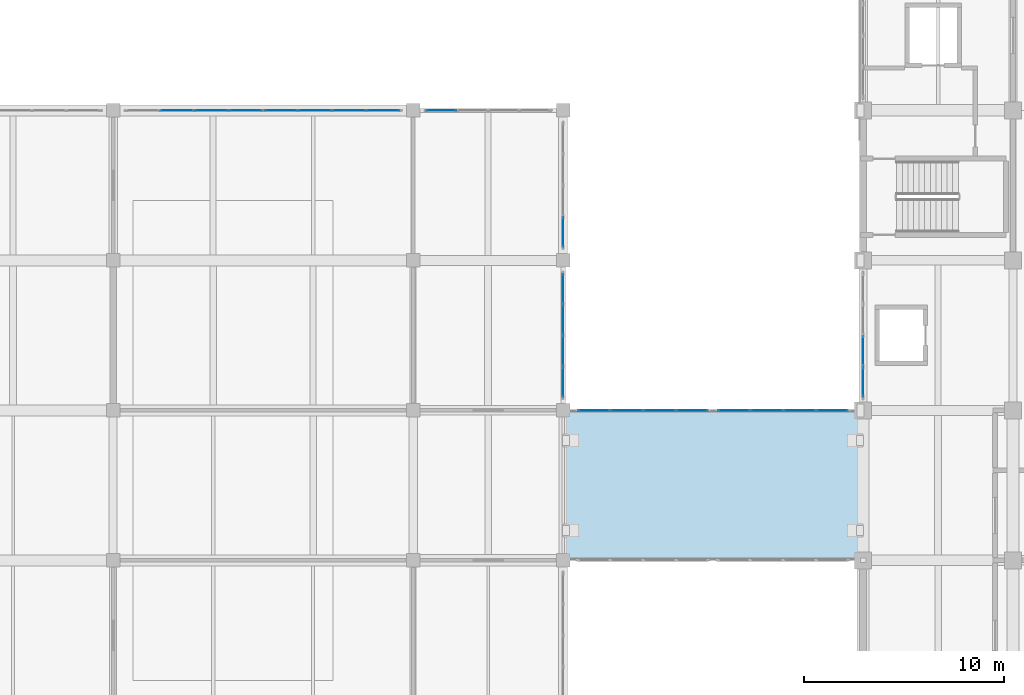
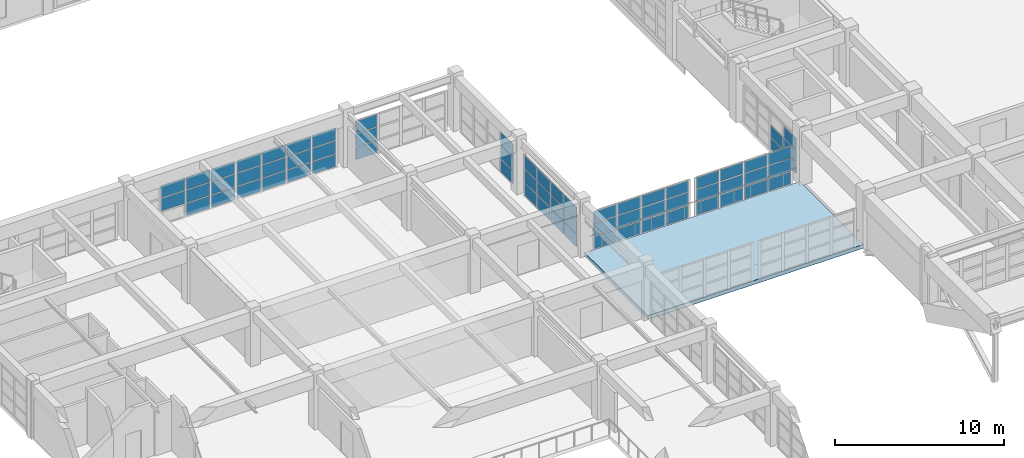
# One storey, part 84 of 132: 67 plates, 1 slab, 8 elements without a shape of their own.
"""IFC4 building model written with IfcOpenShell, lengths in metres."""

from ifc_helpers import new_model, si_unit, direction, frame, origin, origin_2d, place, context, subcontext, project, spatial, polyline, rectangle, outline, extrude, material, layer, layer_set, type_object, element, aggregate, save


model = new_model("IFC4")

# Units and contexts
model_context = context("Model", 3, precision=1e-05, world=origin(), true_north=direction((0.0, 1.0)))
body_context = subcontext(model_context, "Body", "Model", "MODEL_VIEW")
ifc_project = project(units=[si_unit("LENGTHUNIT", "METRE"), si_unit("AREAUNIT", "SQUARE_METRE"), si_unit("VOLUMEUNIT", "CUBIC_METRE"), si_unit("PLANEANGLEUNIT", "RADIAN"), si_unit("MASSUNIT", "GRAM", prefix="KILO")], contexts=[model_context])

# Site, building, storey
site_placement = place(None, origin())
site = spatial("IfcSite", under=ifc_project, at=site_placement, CompositionType="ELEMENT")
building_placement = place(site_placement, origin())
building = spatial("IfcBuilding", under=site, at=building_placement, Name="Qasida Concert Hall", CompositionType="ELEMENT")
storey_placement = place(building_placement, frame((0.0, 0.0, 4.800048828125)))
storey = spatial("IfcBuildingStorey", under=building, at=storey_placement, Name="L01", CompositionType="ELEMENT", Elevation=4.800048828125)

# Curtain wall, plates
ifc_material_1 = material(Name="Architectural bronze-anodized aluminium and low-E glass", Category="aluminium")
curtain_wall_type_1 = type_object("IfcCurtainWallType", Name="CW-02", PredefinedType="NOTDEFINED", material=ifc_material_1)
curtain_wall_1_placement = place(storey_placement, origin())
curtain_wall_1 = element("IfcCurtainWall", 1, at=curtain_wall_1_placement, inside=storey, type_object=curtain_wall_type_1, Name="L01 curtain wall CW-02 0042", PredefinedType="NOTDEFINED")
ifc_material_2 = material(Name="Solar-control low-E double glazing", Category="glass")
ifc_layer_1 = layer(ifc_material_2, 0.035888671875, Name="Solar-control low-E double glazing")
ifc_layer_set_1 = layer_set([ifc_layer_1], Name="Solar-control low-E double glazing")
plate_type_1 = type_object("IfcPlateType", Name="PLT-CWP-1", PredefinedType="CURTAIN_PANEL", material=ifc_layer_set_1)
plate_1_placement = place(storey_placement, frame((52.5, 38.919921875, 0.06494140625), z_axis=(0.0, 0.0, 1.0), x_axis=(0.0, 1.0, 0.0)))
plate_1 = element("IfcPlate", 2, at=plate_1_placement, type_object=plate_type_1, Name="CW-02 panel 1.1", PredefinedType="CURTAIN_PANEL", context=body_context, shape_type="SweptSolid", body=[
    extrude(rectangle(XDim=1.4599609375, YDim=0.035888671875, at=origin_2d()), origin(), (0.0, 0.0, 1.0), 0.79931640625),
])
plate_2_placement = place(storey_placement, frame((52.5, 38.919921875, 0.92919921875), z_axis=(0.0, 0.0, 1.0), x_axis=(0.0, 1.0, 0.0)))
plate_2 = element("IfcPlate", 3, at=plate_2_placement, type_object=plate_type_1, Name="CW-02 panel 1.2", PredefinedType="CURTAIN_PANEL", context=body_context, shape_type="SweptSolid", body=[
    extrude(rectangle(XDim=1.4599609375, YDim=0.035888671875, at=origin_2d()), origin(), (0.0, 0.0, 1.0), 0.83154296875),
])
plate_3_placement = place(storey_placement, frame((52.5, 38.919921875, 1.82568359375), z_axis=(0.0, 0.0, 1.0), x_axis=(0.0, 1.0, 0.0)))
plate_3 = element("IfcPlate", 4, at=plate_3_placement, type_object=plate_type_1, Name="CW-02 panel 1.3", PredefinedType="CURTAIN_PANEL", context=body_context, shape_type="SweptSolid", body=[
    extrude(rectangle(XDim=1.4599609375, YDim=0.035888671875, at=origin_2d()), origin(), (0.0, 0.0, 1.0), 0.79931640625),
])
plate_4_placement = place(storey_placement, frame((52.5, 40.467529296875, 0.06494140625), z_axis=(0.0, 0.0, 1.0), x_axis=(0.0, 1.0, 0.0)))
plate_4 = element("IfcPlate", 5, at=plate_4_placement, type_object=plate_type_1, Name="CW-02 panel 2.1", PredefinedType="CURTAIN_PANEL", context=body_context, shape_type="SweptSolid", body=[
    extrude(rectangle(XDim=1.4951171875, YDim=0.035888671875, at=origin_2d()), origin(), (0.0, 0.0, 1.0), 0.79931640625),
])
plate_5_placement = place(storey_placement, frame((52.5, 40.467529296875, 0.92919921875), z_axis=(0.0, 0.0, 1.0), x_axis=(0.0, 1.0, 0.0)))
plate_5 = element("IfcPlate", 6, at=plate_5_placement, type_object=plate_type_1, Name="CW-02 panel 2.2", PredefinedType="CURTAIN_PANEL", context=body_context, shape_type="SweptSolid", body=[
    extrude(rectangle(XDim=1.4951171875, YDim=0.035888671875, at=origin_2d()), origin(), (0.0, 0.0, 1.0), 0.83154296875),
])
aggregate(curtain_wall_1, [plate_1, plate_2, plate_3, plate_4, plate_5])

curtain_wall_type_2 = type_object("IfcCurtainWallType", Name="CW-07", PredefinedType="NOTDEFINED", material=ifc_material_1)
curtain_wall_2_placement = place(storey_placement, origin())
curtain_wall_2 = element("IfcCurtainWall", 7, at=curtain_wall_2_placement, inside=storey, type_object=curtain_wall_type_2, Name="L01 curtain wall CW-07 0086", PredefinedType="NOTDEFINED")
ifc_layer_2 = layer(ifc_material_2, 0.031982421875, Name="Solar-control low-E double glazing")
ifc_layer_set_2 = layer_set([ifc_layer_2], Name="Solar-control low-E double glazing")
plate_type_2 = type_object("IfcPlateType", Name="PLT-CWP-2", PredefinedType="CURTAIN_PANEL", material=ifc_layer_set_2)
plate_6_placement = place(storey_placement, frame((18.1962890625, 52.5, 0.993408203125), z_axis=(0.0, 0.0, 1.0), x_axis=(1.0, 0.0, 0.0)))
plate_6 = element("IfcPlate", 8, at=plate_6_placement, type_object=plate_type_2, Name="CW-07 panel 2.2", PredefinedType="CURTAIN_PANEL", context=body_context, shape_type="SweptSolid", body=[
    extrude(rectangle(XDim=1.652587890625, YDim=0.031982421875, at=origin_2d()), origin(), (0.0, 0.0, 1.0), 0.9033203125),
])
plate_7_placement = place(storey_placement, frame((18.1962890625, 52.5, 1.95654296875), z_axis=(0.0, 0.0, 1.0), x_axis=(1.0, 0.0, 0.0)))
plate_7 = element("IfcPlate", 9, at=plate_7_placement, type_object=plate_type_2, Name="CW-07 panel 2.3", PredefinedType="CURTAIN_PANEL", context=body_context, shape_type="SweptSolid", body=[
    extrude(rectangle(XDim=1.652587890625, YDim=0.031982421875, at=origin_2d()), origin(), (0.0, 0.0, 1.0), 0.873291015625),
])
plate_8_placement = place(storey_placement, frame((19.913818359375, 52.5, 0.06005859375), z_axis=(0.0, 0.0, 1.0), x_axis=(1.0, 0.0, 0.0)))
plate_8 = element("IfcPlate", 10, at=plate_8_placement, type_object=plate_type_2, Name="CW-07 panel 3.1", PredefinedType="CURTAIN_PANEL", context=body_context, shape_type="SweptSolid", body=[
    extrude(rectangle(XDim=1.652587890625, YDim=0.031982421875, at=origin_2d()), origin(), (0.0, 0.0, 1.0), 0.873291015625),
])
plate_9_placement = place(storey_placement, frame((19.913818359375, 52.5, 0.993408203125), z_axis=(0.0, 0.0, 1.0), x_axis=(1.0, 0.0, 0.0)))
plate_9 = element("IfcPlate", 11, at=plate_9_placement, type_object=plate_type_2, Name="CW-07 panel 3.2", PredefinedType="CURTAIN_PANEL", context=body_context, shape_type="SweptSolid", body=[
    extrude(rectangle(XDim=1.652587890625, YDim=0.031982421875, at=origin_2d()), origin(), (0.0, 0.0, 1.0), 0.9033203125),
])
plate_10_placement = place(storey_placement, frame((19.913818359375, 52.5, 1.95654296875), z_axis=(0.0, 0.0, 1.0), x_axis=(1.0, 0.0, 0.0)))
plate_10 = element("IfcPlate", 12, at=plate_10_placement, type_object=plate_type_2, Name="CW-07 panel 3.3", PredefinedType="CURTAIN_PANEL", context=body_context, shape_type="SweptSolid", body=[
    extrude(rectangle(XDim=1.652587890625, YDim=0.031982421875, at=origin_2d()), origin(), (0.0, 0.0, 1.0), 0.873291015625),
])
plate_11_placement = place(storey_placement, frame((21.614990234375, 52.5, 0.06005859375), z_axis=(0.0, 0.0, 1.0), x_axis=(1.0, 0.0, 0.0)))
plate_11 = element("IfcPlate", 13, at=plate_11_placement, type_object=plate_type_2, Name="CW-07 panel 4.1", PredefinedType="CURTAIN_PANEL", context=body_context, shape_type="SweptSolid", body=[
    extrude(rectangle(XDim=1.6201171875, YDim=0.031982421875, at=origin_2d()), origin(), (0.0, 0.0, 1.0), 0.873291015625),
])
plate_12_placement = place(storey_placement, frame((21.614990234375, 52.5, 0.993408203125), z_axis=(0.0, 0.0, 1.0), x_axis=(1.0, 0.0, 0.0)))
plate_12 = element("IfcPlate", 14, at=plate_12_placement, type_object=plate_type_2, Name="CW-07 panel 4.2", PredefinedType="CURTAIN_PANEL", context=body_context, shape_type="SweptSolid", body=[
    extrude(rectangle(XDim=1.6201171875, YDim=0.031982421875, at=origin_2d()), origin(), (0.0, 0.0, 1.0), 0.9033203125),
])
plate_13_placement = place(storey_placement, frame((21.614990234375, 52.5, 1.95654296875), z_axis=(0.0, 0.0, 1.0), x_axis=(1.0, 0.0, 0.0)))
plate_13 = element("IfcPlate", 15, at=plate_13_placement, type_object=plate_type_2, Name="CW-07 panel 4.3", PredefinedType="CURTAIN_PANEL", context=body_context, shape_type="SweptSolid", body=[
    extrude(rectangle(XDim=1.6201171875, YDim=0.031982421875, at=origin_2d()), origin(), (0.0, 0.0, 1.0), 0.873291015625),
])
aggregate(curtain_wall_2, [plate_6, plate_7, plate_8, plate_9, plate_10, plate_11, plate_12, plate_13])

curtain_wall_3_placement = place(storey_placement, origin())
curtain_wall_3 = element("IfcCurtainWall", 16, at=curtain_wall_3_placement, inside=storey, type_object=curtain_wall_type_2, Name="L01 curtain wall CW-07 0088", PredefinedType="NOTDEFINED")
plate_14_placement = place(storey_placement, frame((23.385009765625, 52.5, 0.06005859375), z_axis=(0.0, 0.0, 1.0), x_axis=(1.0, 0.0, 0.0)))
plate_14 = element("IfcPlate", 17, at=plate_14_placement, type_object=plate_type_2, Name="CW-07 panel 1.1", PredefinedType="CURTAIN_PANEL", context=body_context, shape_type="SweptSolid", body=[
    extrude(rectangle(XDim=1.6201171875, YDim=0.031982421875, at=origin_2d()), origin(), (0.0, 0.0, 1.0), 0.873291015625),
])
plate_15_placement = place(storey_placement, frame((23.385009765625, 52.5, 0.993408203125), z_axis=(0.0, 0.0, 1.0), x_axis=(1.0, 0.0, 0.0)))
plate_15 = element("IfcPlate", 18, at=plate_15_placement, type_object=plate_type_2, Name="CW-07 panel 1.2", PredefinedType="CURTAIN_PANEL", context=body_context, shape_type="SweptSolid", body=[
    extrude(rectangle(XDim=1.6201171875, YDim=0.031982421875, at=origin_2d()), origin(), (0.0, 0.0, 1.0), 0.9033203125),
])
plate_16_placement = place(storey_placement, frame((23.385009765625, 52.5, 1.95654296875), z_axis=(0.0, 0.0, 1.0), x_axis=(1.0, 0.0, 0.0)))
plate_16 = element("IfcPlate", 19, at=plate_16_placement, type_object=plate_type_2, Name="CW-07 panel 1.3", PredefinedType="CURTAIN_PANEL", context=body_context, shape_type="SweptSolid", body=[
    extrude(rectangle(XDim=1.6201171875, YDim=0.031982421875, at=origin_2d()), origin(), (0.0, 0.0, 1.0), 0.873291015625),
])
plate_17_placement = place(storey_placement, frame((25.086181640625, 52.5, 0.06005859375), z_axis=(0.0, 0.0, 1.0), x_axis=(1.0, 0.0, 0.0)))
plate_17 = element("IfcPlate", 20, at=plate_17_placement, type_object=plate_type_2, Name="CW-07 panel 2.1", PredefinedType="CURTAIN_PANEL", context=body_context, shape_type="SweptSolid", body=[
    extrude(rectangle(XDim=1.652587890625, YDim=0.031982421875, at=origin_2d()), origin(), (0.0, 0.0, 1.0), 0.873291015625),
])
plate_18_placement = place(storey_placement, frame((25.086181640625, 52.5, 0.993408203125), z_axis=(0.0, 0.0, 1.0), x_axis=(1.0, 0.0, 0.0)))
plate_18 = element("IfcPlate", 21, at=plate_18_placement, type_object=plate_type_2, Name="CW-07 panel 2.2", PredefinedType="CURTAIN_PANEL", context=body_context, shape_type="SweptSolid", body=[
    extrude(rectangle(XDim=1.652587890625, YDim=0.031982421875, at=origin_2d()), origin(), (0.0, 0.0, 1.0), 0.9033203125),
])
plate_19_placement = place(storey_placement, frame((25.086181640625, 52.5, 1.95654296875), z_axis=(0.0, 0.0, 1.0), x_axis=(1.0, 0.0, 0.0)))
plate_19 = element("IfcPlate", 22, at=plate_19_placement, type_object=plate_type_2, Name="CW-07 panel 2.3", PredefinedType="CURTAIN_PANEL", context=body_context, shape_type="SweptSolid", body=[
    extrude(rectangle(XDim=1.652587890625, YDim=0.031982421875, at=origin_2d()), origin(), (0.0, 0.0, 1.0), 0.873291015625),
])
plate_20_placement = place(storey_placement, frame((26.8037109375, 52.5, 0.06005859375), z_axis=(0.0, 0.0, 1.0), x_axis=(1.0, 0.0, 0.0)))
plate_20 = element("IfcPlate", 23, at=plate_20_placement, type_object=plate_type_2, Name="CW-07 panel 3.1", PredefinedType="CURTAIN_PANEL", context=body_context, shape_type="SweptSolid", body=[
    extrude(rectangle(XDim=1.652587890625, YDim=0.031982421875, at=origin_2d()), origin(), (0.0, 0.0, 1.0), 0.873291015625),
])
plate_21_placement = place(storey_placement, frame((26.8037109375, 52.5, 0.993408203125), z_axis=(0.0, 0.0, 1.0), x_axis=(1.0, 0.0, 0.0)))
plate_21 = element("IfcPlate", 24, at=plate_21_placement, type_object=plate_type_2, Name="CW-07 panel 3.2", PredefinedType="CURTAIN_PANEL", context=body_context, shape_type="SweptSolid", body=[
    extrude(rectangle(XDim=1.652587890625, YDim=0.031982421875, at=origin_2d()), origin(), (0.0, 0.0, 1.0), 0.9033203125),
])
plate_22_placement = place(storey_placement, frame((26.8037109375, 52.5, 1.95654296875), z_axis=(0.0, 0.0, 1.0), x_axis=(1.0, 0.0, 0.0)))
plate_22 = element("IfcPlate", 25, at=plate_22_placement, type_object=plate_type_2, Name="CW-07 panel 3.3", PredefinedType="CURTAIN_PANEL", context=body_context, shape_type="SweptSolid", body=[
    extrude(rectangle(XDim=1.652587890625, YDim=0.031982421875, at=origin_2d()), origin(), (0.0, 0.0, 1.0), 0.873291015625),
])
plate_23_placement = place(storey_placement, frame((28.5048828125, 52.5, 0.06005859375), z_axis=(0.0, 0.0, 1.0), x_axis=(1.0, 0.0, 0.0)))
plate_23 = element("IfcPlate", 26, at=plate_23_placement, type_object=plate_type_2, Name="CW-07 panel 4.1", PredefinedType="CURTAIN_PANEL", context=body_context, shape_type="SweptSolid", body=[
    extrude(rectangle(XDim=1.6201171875, YDim=0.031982421875, at=origin_2d()), origin(), (0.0, 0.0, 1.0), 0.873291015625),
])
plate_24_placement = place(storey_placement, frame((28.5048828125, 52.5, 0.993408203125), z_axis=(0.0, 0.0, 1.0), x_axis=(1.0, 0.0, 0.0)))
plate_24 = element("IfcPlate", 27, at=plate_24_placement, type_object=plate_type_2, Name="CW-07 panel 4.2", PredefinedType="CURTAIN_PANEL", context=body_context, shape_type="SweptSolid", body=[
    extrude(rectangle(XDim=1.6201171875, YDim=0.031982421875, at=origin_2d()), origin(), (0.0, 0.0, 1.0), 0.9033203125),
])
plate_25_placement = place(storey_placement, frame((28.5048828125, 52.5, 1.95654296875), z_axis=(0.0, 0.0, 1.0), x_axis=(1.0, 0.0, 0.0)))
plate_25 = element("IfcPlate", 28, at=plate_25_placement, type_object=plate_type_2, Name="CW-07 panel 4.3", PredefinedType="CURTAIN_PANEL", context=body_context, shape_type="SweptSolid", body=[
    extrude(rectangle(XDim=1.6201171875, YDim=0.031982421875, at=origin_2d()), origin(), (0.0, 0.0, 1.0), 0.873291015625),
])
aggregate(curtain_wall_3, [plate_14, plate_15, plate_16, plate_17, plate_18, plate_19, plate_20, plate_21, plate_22, plate_23, plate_24, plate_25])

curtain_wall_4_placement = place(storey_placement, origin())
curtain_wall_4 = element("IfcCurtainWall", 29, at=curtain_wall_4_placement, inside=storey, type_object=curtain_wall_type_2, Name="L01 curtain wall CW-07 0090", PredefinedType="NOTDEFINED")
plate_26_placement = place(storey_placement, frame((31.418701171875, 52.5, 0.06005859375), z_axis=(0.0, 0.0, 1.0), x_axis=(1.0, 0.0, 0.0)))
plate_26 = element("IfcPlate", 30, at=plate_26_placement, type_object=plate_type_2, Name="CW-07 panel 1.1", PredefinedType="CURTAIN_PANEL", context=body_context, shape_type="SweptSolid", body=[
    extrude(rectangle(XDim=1.467529296875, YDim=0.031982421875, at=origin_2d()), origin(), (0.0, 0.0, 1.0), 0.873291015625),
])
plate_27_placement = place(storey_placement, frame((31.418701171875, 52.5, 0.993408203125), z_axis=(0.0, 0.0, 1.0), x_axis=(1.0, 0.0, 0.0)))
plate_27 = element("IfcPlate", 31, at=plate_27_placement, type_object=plate_type_2, Name="CW-07 panel 1.2", PredefinedType="CURTAIN_PANEL", context=body_context, shape_type="SweptSolid", body=[
    extrude(rectangle(XDim=1.467529296875, YDim=0.031982421875, at=origin_2d()), origin(), (0.0, 0.0, 1.0), 0.9033203125),
])
plate_28_placement = place(storey_placement, frame((31.418701171875, 52.5, 1.95654296875), z_axis=(0.0, 0.0, 1.0), x_axis=(1.0, 0.0, 0.0)))
plate_28 = element("IfcPlate", 32, at=plate_28_placement, type_object=plate_type_2, Name="CW-07 panel 1.3", PredefinedType="CURTAIN_PANEL", context=body_context, shape_type="SweptSolid", body=[
    extrude(rectangle(XDim=1.467529296875, YDim=0.031982421875, at=origin_2d()), origin(), (0.0, 0.0, 1.0), 0.873291015625),
])
aggregate(curtain_wall_4, [plate_26, plate_27, plate_28])

curtain_wall_5_placement = place(storey_placement, origin())
curtain_wall_5 = element("IfcCurtainWall", 33, at=curtain_wall_5_placement, inside=storey, type_object=curtain_wall_type_2, Name="L01 curtain wall CW-07 0097", PredefinedType="NOTDEFINED")
plate_29_placement = place(storey_placement, frame((37.5, 38.918701171875, 0.059814453125), z_axis=(0.0, 0.0, 1.0), x_axis=(0.0, 1.0, 0.0)))
plate_29 = element("IfcPlate", 34, at=plate_29_placement, type_object=plate_type_2, Name="CW-07 panel 1.1", PredefinedType="CURTAIN_PANEL", context=body_context, shape_type="SweptSolid", body=[
    extrude(rectangle(XDim=1.467529296875, YDim=0.031982421875, at=origin_2d()), origin(), (0.0, 0.0, 1.0), 0.90673828125),
])
plate_30_placement = place(storey_placement, frame((37.5, 38.918701171875, 1.026611328125), z_axis=(0.0, 0.0, 1.0), x_axis=(0.0, 1.0, 0.0)))
plate_30 = element("IfcPlate", 35, at=plate_30_placement, type_object=plate_type_2, Name="CW-07 panel 1.2", PredefinedType="CURTAIN_PANEL", context=body_context, shape_type="SweptSolid", body=[
    extrude(rectangle(XDim=1.467529296875, YDim=0.031982421875, at=origin_2d()), origin(), (0.0, 0.0, 1.0), 0.9365234375),
])
plate_31_placement = place(storey_placement, frame((37.5, 38.918701171875, 2.023193359375), z_axis=(0.0, 0.0, 1.0), x_axis=(0.0, 1.0, 0.0)))
plate_31 = element("IfcPlate", 36, at=plate_31_placement, type_object=plate_type_2, Name="CW-07 panel 1.3", PredefinedType="CURTAIN_PANEL", context=body_context, shape_type="SweptSolid", body=[
    extrude(rectangle(XDim=1.467529296875, YDim=0.031982421875, at=origin_2d()), origin(), (0.0, 0.0, 1.0), 0.90673828125),
])
plate_32_placement = place(storey_placement, frame((37.5, 40.467529296875, 0.059814453125), z_axis=(0.0, 0.0, 1.0), x_axis=(0.0, 1.0, 0.0)))
plate_32 = element("IfcPlate", 37, at=plate_32_placement, type_object=plate_type_2, Name="CW-07 panel 2.1", PredefinedType="CURTAIN_PANEL", context=body_context, shape_type="SweptSolid", body=[
    extrude(rectangle(XDim=1.5, YDim=0.031982421875, at=origin_2d()), origin(), (0.0, 0.0, 1.0), 0.90673828125),
])
plate_33_placement = place(storey_placement, frame((37.5, 40.467529296875, 1.026611328125), z_axis=(0.0, 0.0, 1.0), x_axis=(0.0, 1.0, 0.0)))
plate_33 = element("IfcPlate", 38, at=plate_33_placement, type_object=plate_type_2, Name="CW-07 panel 2.2", PredefinedType="CURTAIN_PANEL", context=body_context, shape_type="SweptSolid", body=[
    extrude(rectangle(XDim=1.5, YDim=0.031982421875, at=origin_2d()), origin(), (0.0, 0.0, 1.0), 0.9365234375),
])
plate_34_placement = place(storey_placement, frame((37.5, 40.467529296875, 2.023193359375), z_axis=(0.0, 0.0, 1.0), x_axis=(0.0, 1.0, 0.0)))
plate_34 = element("IfcPlate", 39, at=plate_34_placement, type_object=plate_type_2, Name="CW-07 panel 2.3", PredefinedType="CURTAIN_PANEL", context=body_context, shape_type="SweptSolid", body=[
    extrude(rectangle(XDim=1.5, YDim=0.031982421875, at=origin_2d()), origin(), (0.0, 0.0, 1.0), 0.90673828125),
])
plate_35_placement = place(storey_placement, frame((37.5, 42.032470703125, 0.059814453125), z_axis=(0.0, 0.0, 1.0), x_axis=(0.0, 1.0, 0.0)))
plate_35 = element("IfcPlate", 40, at=plate_35_placement, type_object=plate_type_2, Name="CW-07 panel 3.1", PredefinedType="CURTAIN_PANEL", context=body_context, shape_type="SweptSolid", body=[
    extrude(rectangle(XDim=1.5, YDim=0.031982421875, at=origin_2d()), origin(), (0.0, 0.0, 1.0), 0.90673828125),
])
plate_36_placement = place(storey_placement, frame((37.5, 42.032470703125, 1.026611328125), z_axis=(0.0, 0.0, 1.0), x_axis=(0.0, 1.0, 0.0)))
plate_36 = element("IfcPlate", 41, at=plate_36_placement, type_object=plate_type_2, Name="CW-07 panel 3.2", PredefinedType="CURTAIN_PANEL", context=body_context, shape_type="SweptSolid", body=[
    extrude(rectangle(XDim=1.5, YDim=0.031982421875, at=origin_2d()), origin(), (0.0, 0.0, 1.0), 0.9365234375),
])
plate_37_placement = place(storey_placement, frame((37.5, 42.032470703125, 2.023193359375), z_axis=(0.0, 0.0, 1.0), x_axis=(0.0, 1.0, 0.0)))
plate_37 = element("IfcPlate", 42, at=plate_37_placement, type_object=plate_type_2, Name="CW-07 panel 3.3", PredefinedType="CURTAIN_PANEL", context=body_context, shape_type="SweptSolid", body=[
    extrude(rectangle(XDim=1.5, YDim=0.031982421875, at=origin_2d()), origin(), (0.0, 0.0, 1.0), 0.90673828125),
])
plate_38_placement = place(storey_placement, frame((37.5, 43.581298828125, 0.059814453125), z_axis=(0.0, 0.0, 1.0), x_axis=(0.0, 1.0, 0.0)))
plate_38 = element("IfcPlate", 43, at=plate_38_placement, type_object=plate_type_2, Name="CW-07 panel 4.1", PredefinedType="CURTAIN_PANEL", context=body_context, shape_type="SweptSolid", body=[
    extrude(rectangle(XDim=1.467529296875, YDim=0.031982421875, at=origin_2d()), origin(), (0.0, 0.0, 1.0), 0.90673828125),
])
plate_39_placement = place(storey_placement, frame((37.5, 43.581298828125, 1.026611328125), z_axis=(0.0, 0.0, 1.0), x_axis=(0.0, 1.0, 0.0)))
plate_39 = element("IfcPlate", 44, at=plate_39_placement, type_object=plate_type_2, Name="CW-07 panel 4.2", PredefinedType="CURTAIN_PANEL", context=body_context, shape_type="SweptSolid", body=[
    extrude(rectangle(XDim=1.467529296875, YDim=0.031982421875, at=origin_2d()), origin(), (0.0, 0.0, 1.0), 0.9365234375),
])
plate_40_placement = place(storey_placement, frame((37.5, 43.581298828125, 2.023193359375), z_axis=(0.0, 0.0, 1.0), x_axis=(0.0, 1.0, 0.0)))
plate_40 = element("IfcPlate", 45, at=plate_40_placement, type_object=plate_type_2, Name="CW-07 panel 4.3", PredefinedType="CURTAIN_PANEL", context=body_context, shape_type="SweptSolid", body=[
    extrude(rectangle(XDim=1.467529296875, YDim=0.031982421875, at=origin_2d()), origin(), (0.0, 0.0, 1.0), 0.90673828125),
])
aggregate(curtain_wall_5, [plate_29, plate_30, plate_31, plate_32, plate_33, plate_34, plate_35, plate_36, plate_37, plate_38, plate_39, plate_40])

curtain_wall_6_placement = place(storey_placement, origin())
curtain_wall_6 = element("IfcCurtainWall", 46, at=curtain_wall_6_placement, inside=storey, type_object=curtain_wall_type_2, Name="L01 curtain wall CW-07 0098", PredefinedType="NOTDEFINED")
plate_41_placement = place(storey_placement, frame((37.5, 46.418701171875, 0.059814453125), z_axis=(0.0, 0.0, 1.0), x_axis=(0.0, 1.0, 0.0)))
plate_41 = element("IfcPlate", 47, at=plate_41_placement, type_object=plate_type_2, Name="CW-07 panel 1.1", PredefinedType="CURTAIN_PANEL", context=body_context, shape_type="SweptSolid", body=[
    extrude(rectangle(XDim=1.467529296875, YDim=0.031982421875, at=origin_2d()), origin(), (0.0, 0.0, 1.0), 0.90673828125),
])
plate_42_placement = place(storey_placement, frame((37.5, 46.418701171875, 1.026611328125), z_axis=(0.0, 0.0, 1.0), x_axis=(0.0, 1.0, 0.0)))
plate_42 = element("IfcPlate", 48, at=plate_42_placement, type_object=plate_type_2, Name="CW-07 panel 1.2", PredefinedType="CURTAIN_PANEL", context=body_context, shape_type="SweptSolid", body=[
    extrude(rectangle(XDim=1.467529296875, YDim=0.031982421875, at=origin_2d()), origin(), (0.0, 0.0, 1.0), 0.9365234375),
])
plate_43_placement = place(storey_placement, frame((37.5, 46.418701171875, 2.023193359375), z_axis=(0.0, 0.0, 1.0), x_axis=(0.0, 1.0, 0.0)))
plate_43 = element("IfcPlate", 49, at=plate_43_placement, type_object=plate_type_2, Name="CW-07 panel 1.3", PredefinedType="CURTAIN_PANEL", context=body_context, shape_type="SweptSolid", body=[
    extrude(rectangle(XDim=1.467529296875, YDim=0.031982421875, at=origin_2d()), origin(), (0.0, 0.0, 1.0), 0.90673828125),
])
aggregate(curtain_wall_6, [plate_41, plate_42, plate_43])

curtain_wall_type_3 = type_object("IfcCurtainWallType", Name="CW-08", PredefinedType="NOTDEFINED", material=ifc_material_1)
curtain_wall_7_placement = place(storey_placement, origin())
curtain_wall_7 = element("IfcCurtainWall", 50, at=curtain_wall_7_placement, inside=storey, type_object=curtain_wall_type_3, Name="L01 link bridge glazing 0199", PredefinedType="NOTDEFINED")
ifc_layer_3 = layer(ifc_material_2, 0.02392578125, Name="Solar-control low-E double glazing")
ifc_layer_set_3 = layer_set([ifc_layer_3], Name="Solar-control low-E double glazing")
plate_type_3 = type_object("IfcPlateType", Name="PLT-CWP-5", PredefinedType="CURTAIN_PANEL", material=ifc_layer_set_3)
plate_44_placement = place(storey_placement, frame((39.041259765625, 37.5, 0.06005859375), z_axis=(0.0, 0.0, 1.0), x_axis=(1.0, 0.0, 0.0)))
plate_44 = element("IfcPlate", 51, at=plate_44_placement, type_object=plate_type_3, Name="CW-08 panel 1.1", PredefinedType="CURTAIN_PANEL", context=body_context, shape_type="SweptSolid", body=[
    extrude(rectangle(XDim=1.552490234375, YDim=0.02392578125, at=origin_2d()), origin(), (0.0, 0.0, 1.0), 0.860107421875),
])
plate_45_placement = place(storey_placement, frame((39.041259765625, 37.5, 0.97998046875), z_axis=(0.0, 0.0, 1.0), x_axis=(1.0, 0.0, 0.0)))
plate_45 = element("IfcPlate", 52, at=plate_45_placement, type_object=plate_type_3, Name="CW-08 panel 1.2", PredefinedType="CURTAIN_PANEL", context=body_context, shape_type="SweptSolid", body=[
    extrude(rectangle(XDim=1.552490234375, YDim=0.02392578125, at=origin_2d()), origin(), (0.0, 0.0, 1.0), 0.889892578125),
])
plate_46_placement = place(storey_placement, frame((39.041259765625, 37.5, 1.929931640625), z_axis=(0.0, 0.0, 1.0), x_axis=(1.0, 0.0, 0.0)))
plate_46 = element("IfcPlate", 53, at=plate_46_placement, type_object=plate_type_3, Name="CW-08 panel 1.3", PredefinedType="CURTAIN_PANEL", context=body_context, shape_type="SweptSolid", body=[
    extrude(rectangle(XDim=1.552490234375, YDim=0.02392578125, at=origin_2d()), origin(), (0.0, 0.0, 1.0), 0.81005859375),
])
plate_47_placement = place(storey_placement, frame((40.675048828125, 37.5, 0.06005859375), z_axis=(0.0, 0.0, 1.0), x_axis=(1.0, 0.0, 0.0)))
plate_47 = element("IfcPlate", 54, at=plate_47_placement, type_object=plate_type_3, Name="CW-08 panel 2.1", PredefinedType="CURTAIN_PANEL", context=body_context, shape_type="SweptSolid", body=[
    extrude(rectangle(XDim=1.5849609375, YDim=0.02392578125, at=origin_2d()), origin(), (0.0, 0.0, 1.0), 0.860107421875),
])
plate_48_placement = place(storey_placement, frame((40.675048828125, 37.5, 0.97998046875), z_axis=(0.0, 0.0, 1.0), x_axis=(1.0, 0.0, 0.0)))
plate_48 = element("IfcPlate", 55, at=plate_48_placement, type_object=plate_type_3, Name="CW-08 panel 2.2", PredefinedType="CURTAIN_PANEL", context=body_context, shape_type="SweptSolid", body=[
    extrude(rectangle(XDim=1.5849609375, YDim=0.02392578125, at=origin_2d()), origin(), (0.0, 0.0, 1.0), 0.889892578125),
])
plate_49_placement = place(storey_placement, frame((40.675048828125, 37.5, 1.929931640625), z_axis=(0.0, 0.0, 1.0), x_axis=(1.0, 0.0, 0.0)))
plate_49 = element("IfcPlate", 56, at=plate_49_placement, type_object=plate_type_3, Name="CW-08 panel 2.3", PredefinedType="CURTAIN_PANEL", context=body_context, shape_type="SweptSolid", body=[
    extrude(rectangle(XDim=1.5849609375, YDim=0.02392578125, at=origin_2d()), origin(), (0.0, 0.0, 1.0), 0.81005859375),
])
plate_50_placement = place(storey_placement, frame((42.324951171875, 37.5, 0.06005859375), z_axis=(0.0, 0.0, 1.0), x_axis=(1.0, 0.0, 0.0)))
plate_50 = element("IfcPlate", 57, at=plate_50_placement, type_object=plate_type_3, Name="CW-08 panel 3.1", PredefinedType="CURTAIN_PANEL", context=body_context, shape_type="SweptSolid", body=[
    extrude(rectangle(XDim=1.5849609375, YDim=0.02392578125, at=origin_2d()), origin(), (0.0, 0.0, 1.0), 0.860107421875),
])
plate_51_placement = place(storey_placement, frame((42.324951171875, 37.5, 0.97998046875), z_axis=(0.0, 0.0, 1.0), x_axis=(1.0, 0.0, 0.0)))
plate_51 = element("IfcPlate", 58, at=plate_51_placement, type_object=plate_type_3, Name="CW-08 panel 3.2", PredefinedType="CURTAIN_PANEL", context=body_context, shape_type="SweptSolid", body=[
    extrude(rectangle(XDim=1.5849609375, YDim=0.02392578125, at=origin_2d()), origin(), (0.0, 0.0, 1.0), 0.889892578125),
])
plate_52_placement = place(storey_placement, frame((42.324951171875, 37.5, 1.929931640625), z_axis=(0.0, 0.0, 1.0), x_axis=(1.0, 0.0, 0.0)))
plate_52 = element("IfcPlate", 59, at=plate_52_placement, type_object=plate_type_3, Name="CW-08 panel 3.3", PredefinedType="CURTAIN_PANEL", context=body_context, shape_type="SweptSolid", body=[
    extrude(rectangle(XDim=1.5849609375, YDim=0.02392578125, at=origin_2d()), origin(), (0.0, 0.0, 1.0), 0.81005859375),
])
plate_53_placement = place(storey_placement, frame((43.958740234375, 37.5, 0.06005859375), z_axis=(0.0, 0.0, 1.0), x_axis=(1.0, 0.0, 0.0)))
plate_53 = element("IfcPlate", 60, at=plate_53_placement, type_object=plate_type_3, Name="CW-08 panel 4.1", PredefinedType="CURTAIN_PANEL", context=body_context, shape_type="SweptSolid", body=[
    extrude(rectangle(XDim=1.552490234375, YDim=0.02392578125, at=origin_2d()), origin(), (0.0, 0.0, 1.0), 0.860107421875),
])
plate_54_placement = place(storey_placement, frame((43.958740234375, 37.5, 0.97998046875), z_axis=(0.0, 0.0, 1.0), x_axis=(1.0, 0.0, 0.0)))
plate_54 = element("IfcPlate", 61, at=plate_54_placement, type_object=plate_type_3, Name="CW-08 panel 4.2", PredefinedType="CURTAIN_PANEL", context=body_context, shape_type="SweptSolid", body=[
    extrude(rectangle(XDim=1.552490234375, YDim=0.02392578125, at=origin_2d()), origin(), (0.0, 0.0, 1.0), 0.889892578125),
])
plate_55_placement = place(storey_placement, frame((43.958740234375, 37.5, 1.929931640625), z_axis=(0.0, 0.0, 1.0), x_axis=(1.0, 0.0, 0.0)))
plate_55 = element("IfcPlate", 62, at=plate_55_placement, type_object=plate_type_3, Name="CW-08 panel 4.3", PredefinedType="CURTAIN_PANEL", context=body_context, shape_type="SweptSolid", body=[
    extrude(rectangle(XDim=1.552490234375, YDim=0.02392578125, at=origin_2d()), origin(), (0.0, 0.0, 1.0), 0.81005859375),
])
aggregate(curtain_wall_7, [plate_44, plate_45, plate_46, plate_47, plate_48, plate_49, plate_50, plate_51, plate_52, plate_53, plate_54, plate_55])

curtain_wall_8_placement = place(storey_placement, origin())
curtain_wall_8 = element("IfcCurtainWall", 63, at=curtain_wall_8_placement, inside=storey, type_object=curtain_wall_type_3, Name="L01 link bridge glazing 0201", PredefinedType="NOTDEFINED")
plate_56_placement = place(storey_placement, frame((46.041259765625, 37.5, 0.06005859375), z_axis=(0.0, 0.0, 1.0), x_axis=(1.0, 0.0, 0.0)))
plate_56 = element("IfcPlate", 64, at=plate_56_placement, type_object=plate_type_3, Name="CW-08 panel 1.1", PredefinedType="CURTAIN_PANEL", context=body_context, shape_type="SweptSolid", body=[
    extrude(rectangle(XDim=1.552490234375, YDim=0.02392578125, at=origin_2d()), origin(), (0.0, 0.0, 1.0), 0.860107421875),
])
plate_57_placement = place(storey_placement, frame((46.041259765625, 37.5, 0.97998046875), z_axis=(0.0, 0.0, 1.0), x_axis=(1.0, 0.0, 0.0)))
plate_57 = element("IfcPlate", 65, at=plate_57_placement, type_object=plate_type_3, Name="CW-08 panel 1.2", PredefinedType="CURTAIN_PANEL", context=body_context, shape_type="SweptSolid", body=[
    extrude(rectangle(XDim=1.552490234375, YDim=0.02392578125, at=origin_2d()), origin(), (0.0, 0.0, 1.0), 0.889892578125),
])
plate_58_placement = place(storey_placement, frame((46.041259765625, 37.5, 1.929931640625), z_axis=(0.0, 0.0, 1.0), x_axis=(1.0, 0.0, 0.0)))
plate_58 = element("IfcPlate", 66, at=plate_58_placement, type_object=plate_type_3, Name="CW-08 panel 1.3", PredefinedType="CURTAIN_PANEL", context=body_context, shape_type="SweptSolid", body=[
    extrude(rectangle(XDim=1.552490234375, YDim=0.02392578125, at=origin_2d()), origin(), (0.0, 0.0, 1.0), 0.81005859375),
])
plate_59_placement = place(storey_placement, frame((47.675048828125, 37.5, 0.06005859375), z_axis=(0.0, 0.0, 1.0), x_axis=(1.0, 0.0, 0.0)))
plate_59 = element("IfcPlate", 67, at=plate_59_placement, type_object=plate_type_3, Name="CW-08 panel 2.1", PredefinedType="CURTAIN_PANEL", context=body_context, shape_type="SweptSolid", body=[
    extrude(rectangle(XDim=1.5849609375, YDim=0.02392578125, at=origin_2d()), origin(), (0.0, 0.0, 1.0), 0.860107421875),
])
plate_60_placement = place(storey_placement, frame((47.675048828125, 37.5, 0.97998046875), z_axis=(0.0, 0.0, 1.0), x_axis=(1.0, 0.0, 0.0)))
plate_60 = element("IfcPlate", 68, at=plate_60_placement, type_object=plate_type_3, Name="CW-08 panel 2.2", PredefinedType="CURTAIN_PANEL", context=body_context, shape_type="SweptSolid", body=[
    extrude(rectangle(XDim=1.5849609375, YDim=0.02392578125, at=origin_2d()), origin(), (0.0, 0.0, 1.0), 0.889892578125),
])
plate_61_placement = place(storey_placement, frame((47.675048828125, 37.5, 1.929931640625), z_axis=(0.0, 0.0, 1.0), x_axis=(1.0, 0.0, 0.0)))
plate_61 = element("IfcPlate", 69, at=plate_61_placement, type_object=plate_type_3, Name="CW-08 panel 2.3", PredefinedType="CURTAIN_PANEL", context=body_context, shape_type="SweptSolid", body=[
    extrude(rectangle(XDim=1.5849609375, YDim=0.02392578125, at=origin_2d()), origin(), (0.0, 0.0, 1.0), 0.81005859375),
])
plate_62_placement = place(storey_placement, frame((49.324951171875, 37.5, 0.06005859375), z_axis=(0.0, 0.0, 1.0), x_axis=(1.0, 0.0, 0.0)))
plate_62 = element("IfcPlate", 70, at=plate_62_placement, type_object=plate_type_3, Name="CW-08 panel 3.1", PredefinedType="CURTAIN_PANEL", context=body_context, shape_type="SweptSolid", body=[
    extrude(rectangle(XDim=1.5849609375, YDim=0.02392578125, at=origin_2d()), origin(), (0.0, 0.0, 1.0), 0.860107421875),
])
plate_63_placement = place(storey_placement, frame((49.324951171875, 37.5, 0.97998046875), z_axis=(0.0, 0.0, 1.0), x_axis=(1.0, 0.0, 0.0)))
plate_63 = element("IfcPlate", 71, at=plate_63_placement, type_object=plate_type_3, Name="CW-08 panel 3.2", PredefinedType="CURTAIN_PANEL", context=body_context, shape_type="SweptSolid", body=[
    extrude(rectangle(XDim=1.5849609375, YDim=0.02392578125, at=origin_2d()), origin(), (0.0, 0.0, 1.0), 0.889892578125),
])
plate_64_placement = place(storey_placement, frame((49.324951171875, 37.5, 1.929931640625), z_axis=(0.0, 0.0, 1.0), x_axis=(1.0, 0.0, 0.0)))
plate_64 = element("IfcPlate", 72, at=plate_64_placement, type_object=plate_type_3, Name="CW-08 panel 3.3", PredefinedType="CURTAIN_PANEL", context=body_context, shape_type="SweptSolid", body=[
    extrude(rectangle(XDim=1.5849609375, YDim=0.02392578125, at=origin_2d()), origin(), (0.0, 0.0, 1.0), 0.81005859375),
])
plate_65_placement = place(storey_placement, frame((50.958740234375, 37.5, 0.06005859375), z_axis=(0.0, 0.0, 1.0), x_axis=(1.0, 0.0, 0.0)))
plate_65 = element("IfcPlate", 73, at=plate_65_placement, type_object=plate_type_3, Name="CW-08 panel 4.1", PredefinedType="CURTAIN_PANEL", context=body_context, shape_type="SweptSolid", body=[
    extrude(rectangle(XDim=1.552490234375, YDim=0.02392578125, at=origin_2d()), origin(), (0.0, 0.0, 1.0), 0.860107421875),
])
plate_66_placement = place(storey_placement, frame((50.958740234375, 37.5, 0.97998046875), z_axis=(0.0, 0.0, 1.0), x_axis=(1.0, 0.0, 0.0)))
plate_66 = element("IfcPlate", 74, at=plate_66_placement, type_object=plate_type_3, Name="CW-08 panel 4.2", PredefinedType="CURTAIN_PANEL", context=body_context, shape_type="SweptSolid", body=[
    extrude(rectangle(XDim=1.552490234375, YDim=0.02392578125, at=origin_2d()), origin(), (0.0, 0.0, 1.0), 0.889892578125),
])
plate_67_placement = place(storey_placement, frame((50.958740234375, 37.5, 1.929931640625), z_axis=(0.0, 0.0, 1.0), x_axis=(1.0, 0.0, 0.0)))
plate_67 = element("IfcPlate", 75, at=plate_67_placement, type_object=plate_type_3, Name="CW-08 panel 4.3", PredefinedType="CURTAIN_PANEL", context=body_context, shape_type="SweptSolid", body=[
    extrude(rectangle(XDim=1.552490234375, YDim=0.02392578125, at=origin_2d()), origin(), (0.0, 0.0, 1.0), 0.81005859375),
])
aggregate(curtain_wall_8, [plate_56, plate_57, plate_58, plate_59, plate_60, plate_61, plate_62, plate_63, plate_64, plate_65, plate_66, plate_67])

# Slab
ifc_material_3 = material(Name="Concrete C40/50", Category="concrete")
ifc_layer_4 = layer(ifc_material_3, 0.280029296875, Name="Concrete C40/50")
ifc_layer_set_4 = layer_set([ifc_layer_4], Name="Concrete C40/50")
slab_type = type_object("IfcSlabType", Name="SL-FS-280", PredefinedType="FLOOR", material=ifc_layer_set_4)
slab_placement = place(storey_placement, frame((0.0, 0.0, -0.280029296875)))
element("IfcSlab", 76, at=slab_placement, inside=storey, type_object=slab_type, Name="Link V3-V1 bridge (FS-280)", PredefinedType="FLOOR", context=body_context, shape_type="SweptSolid", body=[
    extrude(outline(polyline([(37.64990234375, 30.0), (52.35009765625, 30.0), (52.35009765625, 37.5), (37.64990234375, 37.5), (37.64990234375, 30.0)])), origin(), (0.0, 0.0, 1.0), 0.280029296875),
])

save(model, "model.ifc")
